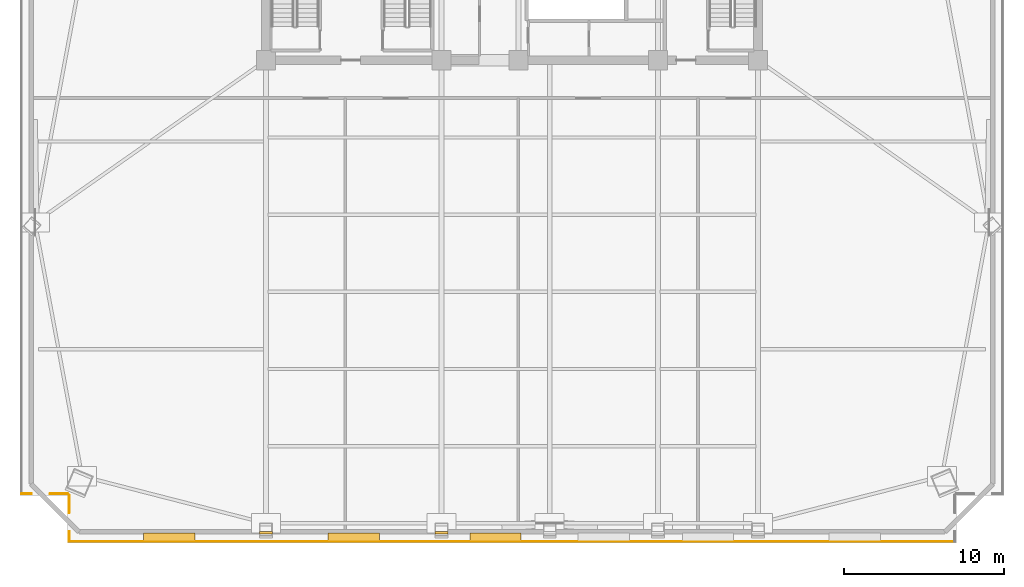
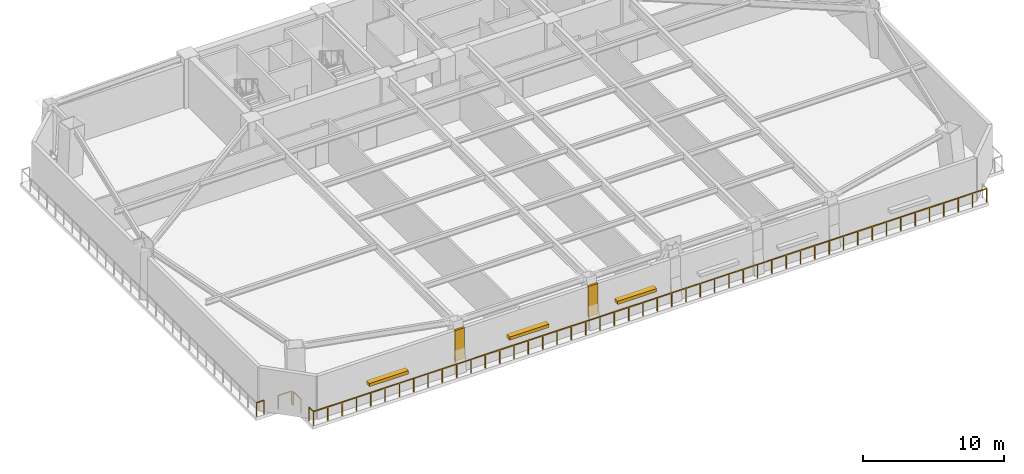
# One storey, part 5 of 9: 5 railings, 3 shading devices, 2 coverings.
"""IFC4 building model written with IfcOpenShell, lengths in metres."""

from ifc_helpers import new_model, si_unit, direction, frame, origin, origin_2d, place, context, subcontext, project, spatial, polyline, rectangle, outline, extrude, source, transform, mapped, material, layer, layer_set, type_object, element, save


model = new_model("IFC4")

# Units and contexts
model_context = context("Model", 3, precision=1e-05, world=origin(), true_north=direction((0.0, 1.0)))
body_context = subcontext(model_context, "Body", "Model", "MODEL_VIEW")
ifc_project = project(units=[si_unit("LENGTHUNIT", "METRE"), si_unit("AREAUNIT", "SQUARE_METRE"), si_unit("VOLUMEUNIT", "CUBIC_METRE"), si_unit("PLANEANGLEUNIT", "RADIAN"), si_unit("MASSUNIT", "GRAM", prefix="KILO")], contexts=[model_context])

# Site, building, storey
site_placement = place(None, origin())
site = spatial("IfcSite", under=ifc_project, at=site_placement, CompositionType="ELEMENT")
building_placement = place(site_placement, origin())
building = spatial("IfcBuilding", under=site, at=building_placement, Name="Giltprow Tower", CompositionType="ELEMENT")
storey_placement = place(building_placement, frame((0.0, 0.0, 144.699951171875)))
storey = spatial("IfcBuildingStorey", under=building, at=storey_placement, Name="L35", CompositionType="ELEMENT", Elevation=144.699951171875)

# Coverings
ifc_material = material(Name="Anodized bronze", Category="metal")
ifc_layer = layer(ifc_material, 0.0400390625, Name="Anodized bronze")
ifc_layer_set = layer_set([ifc_layer], Name="Anodized bronze")
covering_type = type_object("IfcCoveringType", Name="COV-SOFFIT-BRONZE", PredefinedType="CLADDING", material=ifc_layer_set)
covering_1_placement = place(storey_placement, frame((0.0, 0.0, 1.10009765625)))
element("IfcCovering", 1, at=covering_1_placement, inside=storey, type_object=covering_type, Name="L35 Setback Pier Closure Cladding S-1", PredefinedType="CLADDING", context=body_context, shape_type="SweptSolid", body=[
    extrude(outline(polyline([(19.449951171875, 7.89501953125), (20.25, 7.89501953125), (20.25, 8.06494140625), (19.449951171875, 8.06494140625), (19.449951171875, 7.89501953125)])), origin(), (0.0, 0.0, 1.0), 2.64990234375),
])
covering_2_placement = place(storey_placement, frame((0.0, 0.0, 1.10009765625)))
element("IfcCovering", 2, at=covering_2_placement, inside=storey, type_object=covering_type, Name="L35 Setback Pier Closure Cladding S-2", PredefinedType="CLADDING", context=body_context, shape_type="SweptSolid", body=[
    extrude(outline(polyline([(30.39990234375, 7.89501953125), (31.199951171875, 7.89501953125), (31.199951171875, 8.06494140625), (30.39990234375, 8.06494140625), (30.39990234375, 7.89501953125)])), origin(), (0.0, 0.0, 1.0), 2.64990234375),
])

# Railings
railing_type = type_object("IfcRailingType", Name="RAIL-BALC-GUARD-1200", PredefinedType="BALUSTRADE", material=ifc_material)
railing_1_placement = place(storey_placement, frame((7.493896484375, 10.408935546875, 0.0)))
element("IfcRailing", 3, at=railing_1_placement, inside=storey, type_object=railing_type, Name="L35 Corner Apron Edge Balustrade 1", PredefinedType="BALUSTRADE", context=body_context, shape_type="SweptSolid", body=[
    extrude(rectangle(XDim=0.048095703125, YDim=0.048095703125, at=origin_2d()), frame((0.0, 0.0, 1.17578125), z_axis=(-1.0, 0.0, 0.0), x_axis=(0.0, -1.0, 0.0)), (0.0, 0.0, 1.0), 1.098876953125),
    extrude(rectangle(XDim=0.0419921875, YDim=0.0419921875, at=origin_2d()), origin(), (0.0, 0.0, 1.0), 1.15185546875),
    extrude(rectangle(XDim=0.0419921875, YDim=0.0419921875, at=origin_2d()), frame((-1.098876953125, 0.0, 0.0)), (0.0, 0.0, 1.0), 1.15185546875),
])
railing_2_placement = place(storey_placement, frame((5.235107421875, 10.408935546875, 0.0)))
element("IfcRailing", 4, at=railing_2_placement, inside=storey, type_object=railing_type, Name="L35 Corner Apron Edge Balustrade 2", PredefinedType="BALUSTRADE", context=body_context, shape_type="SweptSolid", body=[
    extrude(rectangle(XDim=0.048095703125, YDim=0.048095703125, at=origin_2d()), frame((0.0, 0.0, 1.17578125), z_axis=(-1.0, 0.0, 0.0), x_axis=(0.0, -1.0, 0.0)), (0.0, 0.0, 1.0), 0.62109375),
    extrude(rectangle(XDim=0.0419921875, YDim=0.0419921875, at=origin_2d()), origin(), (0.0, 0.0, 1.0), 1.15185546875),
    extrude(rectangle(XDim=0.0419921875, YDim=0.0419921875, at=origin_2d()), frame((-0.62109375, 0.0, 0.0)), (0.0, 0.0, 1.0), 1.15185546875),
])
railing_3_placement = place(storey_placement, frame((62.821044921875, 7.445068359375, 0.0)))
element("IfcRailing", 5, at=railing_3_placement, inside=storey, type_object=railing_type, Name="L35 Corner Apron Edge Balustrade 21", PredefinedType="BALUSTRADE", context=body_context, shape_type="SweptSolid", body=[
    extrude(rectangle(XDim=0.048095703125, YDim=0.048095703125, at=origin_2d()), frame((0.0, 0.0, 1.17578125), z_axis=(-1.0, 0.0, 0.0), x_axis=(0.0, -1.0, 0.0)), (0.0, 0.0, 1.0), 55.241943359375),
    extrude(rectangle(XDim=0.0419921875, YDim=0.0419921875, at=origin_2d()), origin(), (0.0, 0.0, 1.0), 1.15185546875),
    extrude(rectangle(XDim=0.0419921875, YDim=0.0419921875, at=origin_2d()), frame((-1.17529296875, 0.0, 0.0)), (0.0, 0.0, 1.0), 1.15185546875),
    extrude(rectangle(XDim=0.0419921875, YDim=0.0419921875, at=origin_2d()), frame((-2.350830078125, 0.0, 0.0)), (0.0, 0.0, 1.0), 1.15185546875),
    extrude(rectangle(XDim=0.0419921875, YDim=0.0419921875, at=origin_2d()), frame((-3.526123046875, 0.0, 0.0)), (0.0, 0.0, 1.0), 1.15185546875),
    extrude(rectangle(XDim=0.0419921875, YDim=0.0419921875, at=origin_2d()), frame((-4.701416015625, 0.0, 0.0)), (0.0, 0.0, 1.0), 1.15185546875),
    extrude(rectangle(XDim=0.0419921875, YDim=0.0419921875, at=origin_2d()), frame((-5.876708984375, 0.0, 0.0)), (0.0, 0.0, 1.0), 1.15185546875),
    extrude(rectangle(XDim=0.0419921875, YDim=0.0419921875, at=origin_2d()), frame((-7.05224609375, 0.0, 0.0)), (0.0, 0.0, 1.0), 1.15185546875),
    extrude(rectangle(XDim=0.0419921875, YDim=0.0419921875, at=origin_2d()), frame((-8.2275390625, 0.0, 0.0)), (0.0, 0.0, 1.0), 1.15185546875),
    extrude(rectangle(XDim=0.0419921875, YDim=0.0419921875, at=origin_2d()), frame((-9.40283203125, 0.0, 0.0)), (0.0, 0.0, 1.0), 1.15185546875),
    extrude(rectangle(XDim=0.0419921875, YDim=0.0419921875, at=origin_2d()), frame((-10.578125, 0.0, 0.0)), (0.0, 0.0, 1.0), 1.15185546875),
    extrude(rectangle(XDim=0.0419921875, YDim=0.0419921875, at=origin_2d()), frame((-11.753662109375, 0.0, 0.0)), (0.0, 0.0, 1.0), 1.15185546875),
    extrude(rectangle(XDim=0.0419921875, YDim=0.0419921875, at=origin_2d()), frame((-12.928955078125, 0.0, 0.0)), (0.0, 0.0, 1.0), 1.15185546875),
    extrude(rectangle(XDim=0.0419921875, YDim=0.0419921875, at=origin_2d()), frame((-14.104248046875, 0.0, 0.0)), (0.0, 0.0, 1.0), 1.15185546875),
    extrude(rectangle(XDim=0.0419921875, YDim=0.0419921875, at=origin_2d()), frame((-15.27978515625, 0.0, 0.0)), (0.0, 0.0, 1.0), 1.15185546875),
    extrude(rectangle(XDim=0.0419921875, YDim=0.0419921875, at=origin_2d()), frame((-16.455078125, 0.0, 0.0)), (0.0, 0.0, 1.0), 1.15185546875),
    extrude(rectangle(XDim=0.0419921875, YDim=0.0419921875, at=origin_2d()), frame((-17.63037109375, 0.0, 0.0)), (0.0, 0.0, 1.0), 1.15185546875),
    extrude(rectangle(XDim=0.0419921875, YDim=0.0419921875, at=origin_2d()), frame((-18.8056640625, 0.0, 0.0)), (0.0, 0.0, 1.0), 1.15185546875),
    extrude(rectangle(XDim=0.0419921875, YDim=0.0419921875, at=origin_2d()), frame((-19.981201171875, 0.0, 0.0)), (0.0, 0.0, 1.0), 1.15185546875),
    extrude(rectangle(XDim=0.0419921875, YDim=0.0419921875, at=origin_2d()), frame((-21.156494140625, 0.0, 0.0)), (0.0, 0.0, 1.0), 1.15185546875),
    extrude(rectangle(XDim=0.0419921875, YDim=0.0419921875, at=origin_2d()), frame((-22.331787109375, 0.0, 0.0)), (0.0, 0.0, 1.0), 1.15185546875),
    extrude(rectangle(XDim=0.0419921875, YDim=0.0419921875, at=origin_2d()), frame((-23.50732421875, 0.0, 0.0)), (0.0, 0.0, 1.0), 1.15185546875),
    extrude(rectangle(XDim=0.0419921875, YDim=0.0419921875, at=origin_2d()), frame((-24.6826171875, 0.0, 0.0)), (0.0, 0.0, 1.0), 1.15185546875),
    extrude(rectangle(XDim=0.0419921875, YDim=0.0419921875, at=origin_2d()), frame((-25.85791015625, 0.0, 0.0)), (0.0, 0.0, 1.0), 1.15185546875),
    extrude(rectangle(XDim=0.0419921875, YDim=0.0419921875, at=origin_2d()), frame((-27.033203125, 0.0, 0.0)), (0.0, 0.0, 1.0), 1.15185546875),
    extrude(rectangle(XDim=0.0419921875, YDim=0.0419921875, at=origin_2d()), frame((-28.208740234375, 0.0, 0.0)), (0.0, 0.0, 1.0), 1.15185546875),
    extrude(rectangle(XDim=0.0419921875, YDim=0.0419921875, at=origin_2d()), frame((-29.384033203125, 0.0, 0.0)), (0.0, 0.0, 1.0), 1.15185546875),
    extrude(rectangle(XDim=0.0419921875, YDim=0.0419921875, at=origin_2d()), frame((-30.559326171875, 0.0, 0.0)), (0.0, 0.0, 1.0), 1.15185546875),
    extrude(rectangle(XDim=0.0419921875, YDim=0.0419921875, at=origin_2d()), frame((-31.734619140625, 0.0, 0.0)), (0.0, 0.0, 1.0), 1.15185546875),
    extrude(rectangle(XDim=0.0419921875, YDim=0.0419921875, at=origin_2d()), frame((-32.91015625, 0.0, 0.0)), (0.0, 0.0, 1.0), 1.15185546875),
    extrude(rectangle(XDim=0.0419921875, YDim=0.0419921875, at=origin_2d()), frame((-34.08544921875, 0.0, 0.0)), (0.0, 0.0, 1.0), 1.15185546875),
    extrude(rectangle(XDim=0.0419921875, YDim=0.0419921875, at=origin_2d()), frame((-35.2607421875, 0.0, 0.0)), (0.0, 0.0, 1.0), 1.15185546875),
    extrude(rectangle(XDim=0.0419921875, YDim=0.0419921875, at=origin_2d()), frame((-36.436279296875, 0.0, 0.0)), (0.0, 0.0, 1.0), 1.15185546875),
    extrude(rectangle(XDim=0.0419921875, YDim=0.0419921875, at=origin_2d()), frame((-37.611572265625, 0.0, 0.0)), (0.0, 0.0, 1.0), 1.15185546875),
    extrude(rectangle(XDim=0.0419921875, YDim=0.0419921875, at=origin_2d()), frame((-38.786865234375, 0.0, 0.0)), (0.0, 0.0, 1.0), 1.15185546875),
    extrude(rectangle(XDim=0.0419921875, YDim=0.0419921875, at=origin_2d()), frame((-39.962158203125, 0.0, 0.0)), (0.0, 0.0, 1.0), 1.15185546875),
    extrude(rectangle(XDim=0.0419921875, YDim=0.0419921875, at=origin_2d()), frame((-41.1376953125, 0.0, 0.0)), (0.0, 0.0, 1.0), 1.15185546875),
    extrude(rectangle(XDim=0.0419921875, YDim=0.0419921875, at=origin_2d()), frame((-42.31298828125, 0.0, 0.0)), (0.0, 0.0, 1.0), 1.15185546875),
    extrude(rectangle(XDim=0.0419921875, YDim=0.0419921875, at=origin_2d()), frame((-43.48828125, 0.0, 0.0)), (0.0, 0.0, 1.0), 1.15185546875),
    extrude(rectangle(XDim=0.0419921875, YDim=0.0419921875, at=origin_2d()), frame((-44.663818359375, 0.0, 0.0)), (0.0, 0.0, 1.0), 1.15185546875),
    extrude(rectangle(XDim=0.0419921875, YDim=0.0419921875, at=origin_2d()), frame((-45.839111328125, 0.0, 0.0)), (0.0, 0.0, 1.0), 1.15185546875),
    extrude(rectangle(XDim=0.0419921875, YDim=0.0419921875, at=origin_2d()), frame((-47.014404296875, 0.0, 0.0)), (0.0, 0.0, 1.0), 1.15185546875),
    extrude(rectangle(XDim=0.0419921875, YDim=0.0419921875, at=origin_2d()), frame((-48.189697265625, 0.0, 0.0)), (0.0, 0.0, 1.0), 1.15185546875),
    extrude(rectangle(XDim=0.0419921875, YDim=0.0419921875, at=origin_2d()), frame((-49.365234375, 0.0, 0.0)), (0.0, 0.0, 1.0), 1.15185546875),
    extrude(rectangle(XDim=0.0419921875, YDim=0.0419921875, at=origin_2d()), frame((-50.54052734375, 0.0, 0.0)), (0.0, 0.0, 1.0), 1.15185546875),
    extrude(rectangle(XDim=0.0419921875, YDim=0.0419921875, at=origin_2d()), frame((-51.7158203125, 0.0, 0.0)), (0.0, 0.0, 1.0), 1.15185546875),
    extrude(rectangle(XDim=0.0419921875, YDim=0.0419921875, at=origin_2d()), frame((-52.89111328125, 0.0, 0.0)), (0.0, 0.0, 1.0), 1.15185546875),
    extrude(rectangle(XDim=0.0419921875, YDim=0.0419921875, at=origin_2d()), frame((-54.066650390625, 0.0, 0.0)), (0.0, 0.0, 1.0), 1.15185546875),
    extrude(rectangle(XDim=0.0419921875, YDim=0.0419921875, at=origin_2d()), frame((-55.241943359375, 0.0, 0.0)), (0.0, 0.0, 1.0), 1.15185546875),
])
railing_4_placement = place(storey_placement, frame((7.5791015625, 7.445068359375, 0.0)))
element("IfcRailing", 6, at=railing_4_placement, inside=storey, type_object=railing_type, Name="L35 Corner Apron Edge Balustrade 22", PredefinedType="BALUSTRADE", context=body_context, shape_type="SweptSolid", body=[
    extrude(rectangle(XDim=0.048095703125, YDim=0.048095703125, at=origin_2d()), frame((0.0, 0.0, 1.17578125), z_axis=(0.0, 1.0, 0.0), x_axis=(-1.0, 0.0, 0.0)), (0.0, 0.0, 1.0), 0.619873046875),
    extrude(rectangle(XDim=0.0419921875, YDim=0.0419921875, at=origin_2d()), origin(), (0.0, 0.0, 1.0), 1.15185546875),
    extrude(rectangle(XDim=0.0419921875, YDim=0.0419921875, at=origin_2d()), frame((0.0, 0.619873046875, 0.0)), (0.0, 0.0, 1.0), 1.15185546875),
])
railing_5_placement = place(storey_placement, frame((7.5791015625, 9.22509765625, 0.0)))
element("IfcRailing", 7, at=railing_5_placement, inside=storey, type_object=railing_type, Name="L35 Corner Apron Edge Balustrade 23", PredefinedType="BALUSTRADE", context=body_context, shape_type="SweptSolid", body=[
    extrude(rectangle(XDim=0.048095703125, YDim=0.048095703125, at=origin_2d()), frame((0.0, 0.0, 1.17578125), z_axis=(0.0, 1.0, 0.0), x_axis=(-1.0, 0.0, 0.0)), (0.0, 0.0, 1.0), 1.099853515625),
    extrude(rectangle(XDim=0.0419921875, YDim=0.0419921875, at=origin_2d()), origin(), (0.0, 0.0, 1.0), 1.15185546875),
    extrude(rectangle(XDim=0.0419921875, YDim=0.0419921875, at=origin_2d()), frame((0.0, 1.099853515625, 0.0)), (0.0, 0.0, 1.0), 1.15185546875),
])

# Shading devices
shading_device_type = type_object("IfcShadingDeviceType", Name="SHD-LOUVRE-320", PredefinedType="JALOUSIE", material=ifc_material)
shared_shape = source(origin(), body_context, "Body", "SweptSolid", [
    extrude(rectangle(XDim=3.199951171875, YDim=0.449951171875, at=origin_2d()), origin(), (0.0, 0.0, 1.0), 0.280029296875),
])
for number, where, z_axis, x_axis, name in (
    (8, (13.81396484375, 7.735107421875, 1.66015625), (0.0, 0.0, 1.0), (1.0, 0.0, 0.0), "L35 Refuge Intake Louvre S-1"),
    (9, (25.324951171875, 7.735107421875, 1.66015625), (0.0, 0.0, 1.0), (1.0, 0.0, 0.0), "L35 Refuge Intake Louvre S-2"),
    (10, (34.175048828125, 7.735107421875, 1.66015625), (0.0, 0.0, 1.0), (1.0, 0.0, 0.0), "L35 Refuge Intake Louvre S-3"),
):
    element("IfcShadingDevice", number, at=place(storey_placement, frame(where, z_axis=z_axis, x_axis=x_axis)), inside=storey, type_object=shading_device_type, Name=name, PredefinedType="JALOUSIE", context=body_context, shape_type="MappedRepresentation", body=[
        mapped(shared_shape, transform((0.0, 0.0, 0.0), x_axis=(1.0, 0.0, 0.0), y_axis=(0.0, 1.0, 0.0), z_axis=(0.0, 0.0, 1.0), scale=1.0)),
    ])

save(model, "model.ifc")
